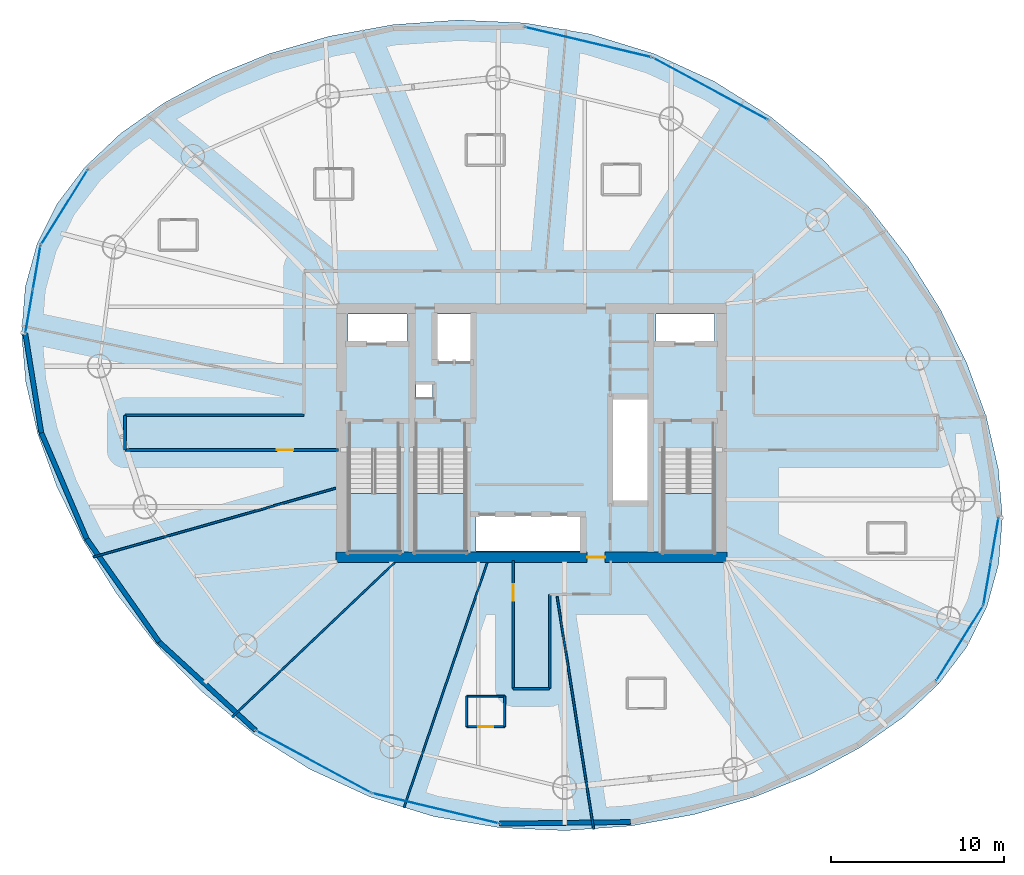
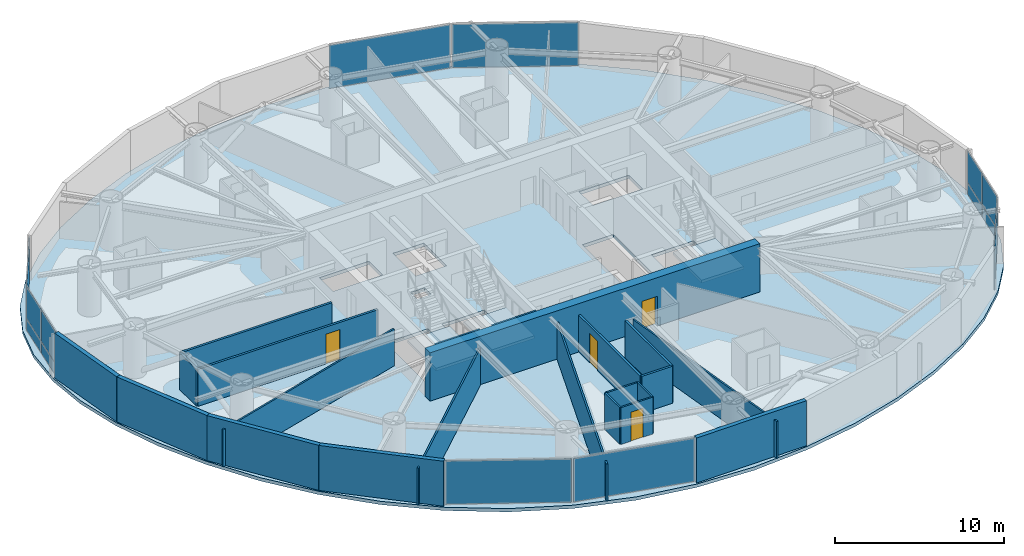
# One storey, part 15 of 22: 22 walls, 14 plates, 4 doors, 4 slabs, 4 openings, 11 elements without a shape of their own.
"""IFC4 building model written with IfcOpenShell, lengths in metres."""

from ifc_helpers import new_model, si_unit, direction, frame, frame_2d, origin, origin_2d, place, context, subcontext, project, spatial, polyline, rectangle, outline, extrude, material, layer, layer_set, type_object, element, fill, aggregate, save


model = new_model("IFC4")

# Units and contexts
model_context = context("Model", 3, precision=1e-05, world=origin(), true_north=direction((0.0, 1.0)))
body_context = subcontext(model_context, "Body", "Model", "MODEL_VIEW")
ifc_project = project(units=[si_unit("LENGTHUNIT", "METRE"), si_unit("AREAUNIT", "SQUARE_METRE"), si_unit("VOLUMEUNIT", "CUBIC_METRE"), si_unit("PLANEANGLEUNIT", "RADIAN"), si_unit("MASSUNIT", "GRAM", prefix="KILO")], contexts=[model_context])

# Site, building, storey
site_placement = place(None, origin())
site = spatial("IfcSite", under=ifc_project, at=site_placement, CompositionType="ELEMENT")
building_placement = place(site_placement, origin())
building = spatial("IfcBuilding", under=site, at=building_placement, Name="Bramvorn Convention Spire", CompositionType="ELEMENT")
storey_placement = place(building_placement, frame((0.0, 0.0, 116.800048828125)))
storey = spatial("IfcBuildingStorey", under=building, at=storey_placement, Name="L28", CompositionType="ELEMENT", Elevation=116.800048828125)

# Curtain wall, plates
ifc_material_1 = material(Name="Anodised Bronze Unitised Curtain Wall", Category="aluminium")
ifc_layer_1 = layer(ifc_material_1, 0.179931640625)
ifc_layer_set_1 = layer_set([ifc_layer_1], Name="Anodised Bronze Unitised Curtain Wall - CW-HTL-FRIT")
curtain_wall_type = type_object("IfcCurtainWallType", Name="CW-HTL-FRIT", PredefinedType="USERDEFINED", material=ifc_layer_set_1)
curtain_wall_1_placement = place(storey_placement, origin())
curtain_wall_1 = element("IfcCurtainWall", 1, at=curtain_wall_1_placement, inside=storey, type_object=curtain_wall_type, Name="L28 fritted glass curtain wall 01", ObjectType="UNITISED CURTAIN WALL", PredefinedType="USERDEFINED")
ifc_material_2 = material(Name="Laminated Low-E Glass (Triple IGU Tapered Ceramic Frit 40%)", Category="glass")
ifc_layer_2 = layer(ifc_material_2, 0.0380859375)
ifc_layer_set_2 = layer_set([ifc_layer_2], Name="Laminated Low-E Glass (Triple IGU Tapered Ceramic Frit 40%) - PNL-IGU-2")
plate_type = type_object("IfcPlateType", Name="PNL-IGU-2", PredefinedType="CURTAIN_PANEL", material=ifc_layer_set_2)
plate_1_placement = place(storey_placement, frame((64.798583984375, 19.82763671875, 0.059814453125), z_axis=(0.0, 0.0, 1.0), x_axis=(-0.170591591163, -0.985341823442, 0.0)))
plate_1 = element("IfcPlate", 2, at=plate_1_placement, type_object=plate_type, Name="CW2 panel 1.1", PredefinedType="CURTAIN_PANEL", context=body_context, shape_type="SweptSolid", body=[
    extrude(rectangle(XDim=2.4970703125, YDim=0.028076171875, at=origin_2d()), origin(), (0.0, 0.0, 1.0), 0.81005859375),
])
plate_2_placement = place(storey_placement, frame((64.798583984375, 19.82763671875, 0.929931640625), z_axis=(0.0, 0.0, 1.0), x_axis=(-0.170591591163, -0.985341823442, 0.0)))
plate_2 = element("IfcPlate", 3, at=plate_2_placement, type_object=plate_type, Name="CW2 panel 1.2", PredefinedType="CURTAIN_PANEL", context=body_context, shape_type="SweptSolid", body=[
    extrude(rectangle(XDim=2.4970703125, YDim=0.028076171875, at=origin_2d()), origin(), (0.0, 0.0, 1.0), 2.27001953125),
])
plate_3_placement = place(storey_placement, frame((64.3623046875, 17.307861328125, 0.059814453125), z_axis=(0.0, 0.0, 1.0), x_axis=(-0.170591591163, -0.985341823442, 0.0)))
plate_3 = element("IfcPlate", 4, at=plate_3_placement, type_object=plate_type, Name="CW2 panel 2.1", PredefinedType="CURTAIN_PANEL", context=body_context, shape_type="SweptSolid", body=[
    extrude(rectangle(XDim=2.4970703125, YDim=0.028076171875, at=origin_2d()), origin(), (0.0, 0.0, 1.0), 0.81005859375),
])
plate_4_placement = place(storey_placement, frame((64.3623046875, 17.307861328125, 0.929931640625), z_axis=(0.0, 0.0, 1.0), x_axis=(-0.170591591163, -0.985341823442, 0.0)))
plate_4 = element("IfcPlate", 5, at=plate_4_placement, type_object=plate_type, Name="CW2 panel 2.2", PredefinedType="CURTAIN_PANEL", context=body_context, shape_type="SweptSolid", body=[
    extrude(rectangle(XDim=2.4970703125, YDim=0.028076171875, at=origin_2d()), origin(), (0.0, 0.0, 1.0), 2.27001953125),
])
aggregate(curtain_wall_1, [plate_1, plate_2, plate_3, plate_4])

# Curtain wall, plate
curtain_wall_2_placement = place(storey_placement, origin())
curtain_wall_2 = element("IfcCurtainWall", 6, at=curtain_wall_2_placement, inside=storey, type_object=curtain_wall_type, Name="L28 fritted glass curtain wall 06", ObjectType="UNITISED CURTAIN WALL", PredefinedType="USERDEFINED")
plate_5_placement = place(storey_placement, frame((48.35107421875, 45.88525390625, 0.06005859375), z_axis=(0.0, 0.0, 1.0), x_axis=(0.879665546327, -0.475592815973, 0.0)))
plate_5 = element("IfcPlate", 7, at=plate_5_placement, type_object=plate_type, Name="CW2 panel 1.1", PredefinedType="CURTAIN_PANEL", context=body_context, shape_type="SweptSolid", body=[
    extrude(rectangle(XDim=7.49755859375, YDim=0.028076171875, at=origin_2d()), origin(), (0.0, 0.0, 1.0), 3.139892578125),
])
aggregate(curtain_wall_2, [plate_5])

curtain_wall_3_placement = place(storey_placement, origin())
curtain_wall_3 = element("IfcCurtainWall", 8, at=curtain_wall_3_placement, inside=storey, type_object=curtain_wall_type, Name="L28 fritted glass curtain wall 07", ObjectType="UNITISED CURTAIN WALL", PredefinedType="USERDEFINED")
plate_6_placement = place(storey_placement, frame((41.295654296875, 48.579345703125, 0.06005859375), z_axis=(0.0, 0.0, 1.0), x_axis=(0.972767324772, -0.231783804127, 0.0)))
plate_6 = element("IfcPlate", 9, at=plate_6_placement, type_object=plate_type, Name="CW2 panel 1.1", PredefinedType="CURTAIN_PANEL", context=body_context, shape_type="SweptSolid", body=[
    extrude(rectangle(XDim=7.49755859375, YDim=0.028076171875, at=origin_2d()), origin(), (0.0, 0.0, 1.0), 3.139892578125),
])
aggregate(curtain_wall_3, [plate_6])

curtain_wall_4_placement = place(storey_placement, origin())
curtain_wall_4 = element("IfcCurtainWall", 10, at=curtain_wall_4_placement, inside=storey, type_object=curtain_wall_type, Name="L28 fritted glass curtain wall 12", ObjectType="UNITISED CURTAIN WALL", PredefinedType="USERDEFINED")
plate_7_placement = place(storey_placement, frame((10.989013671875, 39.0322265625, 0.06005859375), z_axis=(0.0, 0.0, 1.0), x_axis=(0.52959758927, 0.848249016174, 0.0)))
plate_7 = element("IfcPlate", 11, at=plate_7_placement, type_object=plate_type, Name="CW2 panel 1.1", PredefinedType="CURTAIN_PANEL", context=body_context, shape_type="SweptSolid", body=[
    extrude(rectangle(XDim=5.05419921875, YDim=0.028076171875, at=origin_2d()), origin(), (0.0, 0.0, 1.0), 3.139892578125),
])
aggregate(curtain_wall_4, [plate_7])

# Curtain wall, plates
curtain_wall_5_placement = place(storey_placement, origin())
curtain_wall_5 = element("IfcCurtainWall", 12, at=curtain_wall_5_placement, inside=storey, type_object=curtain_wall_type, Name="L28 fritted glass curtain wall 13", ObjectType="UNITISED CURTAIN WALL", PredefinedType="USERDEFINED")
plate_8_placement = place(storey_placement, frame((8.95947265625, 33.028564453125, 0.059814453125), z_axis=(0.0, 0.0, 1.0), x_axis=(0.170591591163, 0.985341823442, 0.0)))
plate_8 = element("IfcPlate", 13, at=plate_8_placement, type_object=plate_type, Name="CW2 panel 1.1", PredefinedType="CURTAIN_PANEL", context=body_context, shape_type="SweptSolid", body=[
    extrude(rectangle(XDim=2.4970703125, YDim=0.028076171875, at=origin_2d()), origin(), (0.0, 0.0, 1.0), 0.81005859375),
])
plate_9_placement = place(storey_placement, frame((8.95947265625, 33.028564453125, 0.929931640625), z_axis=(0.0, 0.0, 1.0), x_axis=(0.170591591163, 0.985341823442, 0.0)))
plate_9 = element("IfcPlate", 14, at=plate_9_placement, type_object=plate_type, Name="CW2 panel 1.2", PredefinedType="CURTAIN_PANEL", context=body_context, shape_type="SweptSolid", body=[
    extrude(rectangle(XDim=2.4970703125, YDim=0.028076171875, at=origin_2d()), origin(), (0.0, 0.0, 1.0), 2.27001953125),
])
plate_10_placement = place(storey_placement, frame((9.395751953125, 35.54833984375, 0.059814453125), z_axis=(0.0, 0.0, 1.0), x_axis=(0.170591591163, 0.985341823442, 0.0)))
plate_10 = element("IfcPlate", 15, at=plate_10_placement, type_object=plate_type, Name="CW2 panel 2.1", PredefinedType="CURTAIN_PANEL", context=body_context, shape_type="SweptSolid", body=[
    extrude(rectangle(XDim=2.4970703125, YDim=0.028076171875, at=origin_2d()), origin(), (0.0, 0.0, 1.0), 0.81005859375),
])
plate_11_placement = place(storey_placement, frame((9.395751953125, 35.54833984375, 0.929931640625), z_axis=(0.0, 0.0, 1.0), x_axis=(0.170591591163, 0.985341823442, 0.0)))
plate_11 = element("IfcPlate", 16, at=plate_11_placement, type_object=plate_type, Name="CW2 panel 2.2", PredefinedType="CURTAIN_PANEL", context=body_context, shape_type="SweptSolid", body=[
    extrude(rectangle(XDim=2.4970703125, YDim=0.028076171875, at=origin_2d()), origin(), (0.0, 0.0, 1.0), 2.27001953125),
])
aggregate(curtain_wall_5, [plate_8, plate_9, plate_10, plate_11])

# Curtain wall, plate
curtain_wall_6_placement = place(storey_placement, origin())
curtain_wall_6 = element("IfcCurtainWall", 17, at=curtain_wall_6_placement, inside=storey, type_object=curtain_wall_type, Name="L28 fritted glass curtain wall 18", ObjectType="UNITISED CURTAIN WALL", PredefinedType="USERDEFINED")
plate_12_placement = place(storey_placement, frame((25.406982421875, 6.970947265625, 0.06005859375), z_axis=(0.0, 0.0, 1.0), x_axis=(-0.879665546327, 0.475592815973, 0.0)))
plate_12 = element("IfcPlate", 18, at=plate_12_placement, type_object=plate_type, Name="CW2 panel 1.1", PredefinedType="CURTAIN_PANEL", context=body_context, shape_type="SweptSolid", body=[
    extrude(rectangle(XDim=7.49755859375, YDim=0.028076171875, at=origin_2d()), origin(), (0.0, 0.0, 1.0), 3.139892578125),
])
aggregate(curtain_wall_6, [plate_12])

curtain_wall_7_placement = place(storey_placement, origin())
curtain_wall_7 = element("IfcCurtainWall", 19, at=curtain_wall_7_placement, inside=storey, type_object=curtain_wall_type, Name="L28 fritted glass curtain wall 19", ObjectType="UNITISED CURTAIN WALL", PredefinedType="USERDEFINED")
plate_13_placement = place(storey_placement, frame((32.46240234375, 4.27685546875, 0.06005859375), z_axis=(0.0, 0.0, 1.0), x_axis=(-0.972767324772, 0.231783804127, 0.0)))
plate_13 = element("IfcPlate", 20, at=plate_13_placement, type_object=plate_type, Name="CW2 panel 1.1", PredefinedType="CURTAIN_PANEL", context=body_context, shape_type="SweptSolid", body=[
    extrude(rectangle(XDim=7.49755859375, YDim=0.028076171875, at=origin_2d()), origin(), (0.0, 0.0, 1.0), 3.139892578125),
])
aggregate(curtain_wall_7, [plate_13])

curtain_wall_8_placement = place(storey_placement, origin())
curtain_wall_8 = element("IfcCurtainWall", 21, at=curtain_wall_8_placement, inside=storey, type_object=curtain_wall_type, Name="L28 fritted glass curtain wall 24", ObjectType="UNITISED CURTAIN WALL", PredefinedType="USERDEFINED")
plate_14_placement = place(storey_placement, frame((62.768798828125, 13.823974609375, 0.06005859375), z_axis=(0.0, 0.0, 1.0), x_axis=(-0.52959758927, -0.848249016174, 0.0)))
plate_14 = element("IfcPlate", 22, at=plate_14_placement, type_object=plate_type, Name="CW2 panel 1.1", PredefinedType="CURTAIN_PANEL", context=body_context, shape_type="SweptSolid", body=[
    extrude(rectangle(XDim=5.05419921875, YDim=0.028076171875, at=origin_2d()), origin(), (0.0, 0.0, 1.0), 3.139892578125),
])
aggregate(curtain_wall_8, [plate_14])

# Stair, slab
ifc_material_3 = material(Name="Concrete C40/50 Precast Stair", Category="concrete")
stair_type = type_object("IfcStairType", Name="ST-TOWER-1550", PredefinedType="HALF_TURN_STAIR", material=ifc_material_3)
stair_1_placement = place(storey_placement, origin())
stair_1 = element("IfcStair", 23, at=stair_1_placement, inside=storey, type_object=stair_type, Name="L28 Protected Exit Stair ST1", PredefinedType="HALF_TURN_STAIR")
ifc_material_4 = material(Name="Concrete C40/50 Stair Landing", Category="concrete")
ifc_layer_3 = layer(ifc_material_4, 0.219970703125)
ifc_layer_set_3 = layer_set([ifc_layer_3], Name="Concrete C40/50 Stair Landing - SLB-STAIR-LANDING")
slab_type_1 = type_object("IfcSlabType", Name="SLB-STAIR-LANDING", PredefinedType="LANDING", material=ifc_layer_set_3)
slab_1_placement = place(storey_placement, frame((0.0, 0.0, 1.550048828125)))
slab_1 = element("IfcSlab", 24, at=slab_1_placement, type_object=slab_type_1, Name="ST1 landing 1", PredefinedType="LANDING", context=body_context, shape_type="SweptSolid", body=[
    extrude(outline(polyline([(27.449951171875, 22.485107421875), (27.449951171875, 19.10009765625), (30.35009765625, 19.10009765625), (30.35009765625, 22.485107421875), (27.449951171875, 22.485107421875)])), origin(), (0.0, 0.0, 1.0), 0.199951171875),
])
aggregate(stair_1, [slab_1])

stair_2_placement = place(storey_placement, origin())
stair_2 = element("IfcStair", 25, at=stair_2_placement, inside=storey, type_object=stair_type, Name="L28 Protected Exit Stair ST2", PredefinedType="HALF_TURN_STAIR")
slab_2_placement = place(storey_placement, frame((0.0, 0.0, 1.550048828125)))
slab_2 = element("IfcSlab", 26, at=slab_2_placement, type_object=slab_type_1, Name="ST2 landing 1", PredefinedType="LANDING", context=body_context, shape_type="SweptSolid", body=[
    extrude(outline(polyline([(45.64990234375, 22.485107421875), (45.64990234375, 19.10009765625), (48.550048828125, 19.10009765625), (48.550048828125, 22.485107421875), (45.64990234375, 22.485107421875)])), origin(), (0.0, 0.0, 1.0), 0.199951171875),
])
aggregate(stair_2, [slab_2])

stair_3_placement = place(storey_placement, origin())
stair_3 = element("IfcStair", 27, at=stair_3_placement, inside=storey, type_object=stair_type, Name="L28 Protected Exit Stair ST3", PredefinedType="HALF_TURN_STAIR")
slab_3_placement = place(storey_placement, frame((0.0, 0.0, 1.550048828125)))
slab_3 = element("IfcSlab", 28, at=slab_3_placement, type_object=slab_type_1, Name="ST3 landing 1", PredefinedType="LANDING", context=body_context, shape_type="SweptSolid", body=[
    extrude(outline(polyline([(31.300048828125, 22.485107421875), (31.300048828125, 19.10009765625), (34.199951171875, 19.10009765625), (34.199951171875, 22.485107421875), (31.300048828125, 22.485107421875)])), origin(), (0.0, 0.0, 1.0), 0.199951171875),
])
aggregate(stair_3, [slab_3])

# Slab
ifc_material_5 = material(Name="Concrete C50/60", Category="concrete")
ifc_layer_4 = layer(ifc_material_5, 0.239990234375)
ifc_layer_set_4 = layer_set([ifc_layer_4], Name="Concrete C50/60 - SLB-Z2-240")
slab_type_2 = type_object("IfcSlabType", Name="SLB-Z2-240", PredefinedType="FLOOR", material=ifc_layer_set_4)
slab_4_placement = place(storey_placement, frame((0.0, 0.0, -0.239990234375)))
element("IfcSlab", 29, at=slab_4_placement, inside=storey, type_object=slab_type_2, Name="L28 tower floor slab", PredefinedType="FLOOR", context=body_context, shape_type="SweptSolid", body=[
    extrude(outline(polyline([(64.344482421875, 15.93994140625), (65.02490234375, 18.42626953125), (65.239013671875, 21.0908203125), (64.997314453125, 23.92236328125), (64.312255859375, 26.896484375), (63.19873046875, 29.969970703125), (61.673095703125, 33.082275390625), (59.752197265625, 36.15673828125), (57.45556640625, 39.10595703125), (54.806884765625, 41.83837890625), (51.835693359375, 44.265625), (48.57958984375, 46.31201171875), (45.08544921875, 47.91845703125), (41.40966796875, 49.0498046875), (37.618408203125, 49.69482421875), (33.78564453125, 49.865478515625), (29.989990234375, 49.593994140625), (26.31201171875, 48.92626953125), (22.830810546875, 47.914794921875), (19.618896484375, 46.611572265625), (16.740234375, 45.0625), (14.247314453125, 43.302001953125), (12.1796875, 41.35205078125), (10.5634765625, 39.222900390625), (9.413330078125, 36.916259765625), (8.733154296875, 34.429931640625), (8.518798828125, 31.765380859375), (8.7607421875, 28.93359375), (9.44580078125, 25.959716796875), (10.55908203125, 22.88623046875), (12.0849609375, 19.77392578125), (14.005859375, 16.699462890625), (16.302490234375, 13.750244140625), (18.951171875, 11.017822265625), (21.922119140625, 8.59033203125), (25.17822265625, 6.544189453125), (28.672607421875, 4.9375), (32.348388671875, 3.806396484375), (36.139404296875, 3.161376953125), (39.972412109375, 2.990478515625), (43.76806640625, 3.26220703125), (47.44580078125, 3.929931640625), (50.927001953125, 4.94140625), (54.138916015625, 6.24462890625), (57.017578125, 7.793701171875), (59.510498046875, 9.55419921875), (61.578369140625, 11.50390625), (63.1943359375, 13.633056640625), (64.344482421875, 15.93994140625)]), holes=[polyline([(27.449951171875, 25.050048828125), (27.449951171875, 19.10009765625), (30.35009765625, 19.10009765625), (30.35009765625, 25.050048828125), (27.449951171875, 25.050048828125)]), polyline([(45.64990234375, 25.050048828125), (45.64990234375, 19.10009765625), (48.550048828125, 19.10009765625), (48.550048828125, 25.050048828125), (45.64990234375, 25.050048828125)]), polyline([(31.300048828125, 25.050048828125), (31.300048828125, 19.10009765625), (34.199951171875, 19.10009765625), (34.199951171875, 25.050048828125), (31.300048828125, 25.050048828125)]), polyline([(27.39990234375, 31.219970703125), (30.800048828125, 31.219970703125), (30.800048828125, 32.85009765625), (27.39990234375, 32.85009765625), (27.39990234375, 31.219970703125)]), polyline([(45.199951171875, 31.219970703125), (48.60009765625, 31.219970703125), (48.60009765625, 32.85009765625), (45.199951171875, 32.85009765625), (45.199951171875, 31.219970703125)]), polyline([(32.449951171875, 30.14990234375), (34.56005859375, 30.14990234375), (34.56005859375, 32.85009765625), (32.449951171875, 32.85009765625), (32.449951171875, 30.14990234375)]), polyline([(34.800048828125, 19.14990234375), (40.97998046875, 19.14990234375), (40.97998046875, 21.199951171875), (34.800048828125, 21.199951171875), (34.800048828125, 19.14990234375)]), polyline([(42.6201171875, 22.0), (44.75, 22.0), (44.75, 28.0), (42.6201171875, 28.0), (42.6201171875, 22.0)]), polyline([(31.320068359375, 28.02001953125), (32.280029296875, 28.02001953125), (32.280029296875, 28.820068359375), (31.320068359375, 28.820068359375), (31.320068359375, 28.02001953125)])]), origin(), (0.0, 0.0, 1.0), 0.239990234375),
])

# Wall, opening, door
ifc_material_6 = material(Name="Concrete C60/70", Category="concrete")
ifc_layer_5 = layer(ifc_material_6, 0.60009765625)
ifc_layer_set_5 = layer_set([ifc_layer_5], Name="Concrete C60/70 - WL-CORE-600")
wall_type_1 = type_object("IfcWallType", Name="WL-CORE-600", PredefinedType="SHEAR", material=ifc_layer_set_5)
wall_1_placement = place(storey_placement, frame((26.699951171875, 18.800048828125, 0.0), z_axis=(0.0, 0.0, 1.0), x_axis=(1.0, 0.0, 0.0)))
wall_1 = element("IfcWall", 30, at=wall_1_placement, inside=storey, type_object=wall_type_1, Name="L28 South RC core shear wall", PredefinedType="SHEAR", context=body_context, shape_type="SweptSolid", body=[
    extrude(rectangle(XDim=22.60009765625, YDim=0.60009765625, at=frame_2d((11.300048828125, 0.0))), origin(), (0.0, 0.0, 1.0), 3.5),
])
opening_1_placement = place(wall_1_placement, frame((14.52001953125, 0.0, 0.0)))
opening_1 = element("IfcOpeningElement", 31, at=opening_1_placement, cuts=wall_1, Name="Opening DL-105", PredefinedType="OPENING", context=body_context, shape_type="SweptSolid", body=[
    extrude(rectangle(XDim=1.050048828125, YDim=2.14990234375, at=frame_2d((0.52490234375, 1.074951171875))), frame((0.0, 0.31005859375, 0.0), z_axis=(0.0, -1.0, 0.0), x_axis=(1.0, 0.0, 0.0)), (0.0, 0.0, 1.0), 0.6201171875),
])
ifc_material_7 = material(Name="Smoke-Sealed Fire Lobby Timber-Core Door", Category="wood")
door_type_1 = type_object("IfcDoorType", Name="DR-LOBBY-1050", OperationType="NOTDEFINED", PredefinedType="DOOR", material=ifc_material_7)
door_1_placement = place(opening_1_placement, origin())
door_1 = element("IfcDoor", 32, at=door_1_placement, inside=storey, type_object=door_type_1, Name="L28 South Lift Lobby fire door", OperationType="SINGLE_SWING_RIGHT", OverallHeight=2.14990234375, OverallWidth=1.050048828125, PredefinedType="DOOR", context=body_context, shape_type="SweptSolid", body=[
    extrude(rectangle(XDim=1.050048828125, YDim=2.14990234375, at=frame_2d((0.52490234375, 1.074951171875))), frame((0.0, 0.02490234375, 0.0), z_axis=(0.0, -1.0, 0.0), x_axis=(1.0, 0.0, 0.0)), (0.0, 0.0, 1.0), 0.050048828125),
])
fill(opening_1, door_1)

# Walls
ifc_material_8 = material(Name="Precast Concrete C40/50 with Bronze Terracotta Rainscreen", Category="masonry")
ifc_layer_6 = layer(ifc_material_8, 0.300048828125)
ifc_layer_set_6 = layer_set([ifc_layer_6], Name="Precast Concrete C40/50 with Bronze Terracotta Rainscreen - WL-EXT-BRONZE-300")
wall_type_2 = type_object("IfcWallType", Name="WL-EXT-BRONZE-300", PredefinedType="SOLIDWALL", material=ifc_layer_set_6)
wall_2_placement = place(storey_placement, frame((9.661376953125, 25.990478515625, 0.0), z_axis=(0.0, 0.0, 1.0), x_axis=(-0.158909460881, 0.987293159726, 0.0)))
element("IfcWall", 33, at=wall_2_placement, inside=storey, type_object=wall_type_2, Name="L28 expressed bronze Gothic lancet pier wall 14", PredefinedType="SOLIDWALL", context=body_context, shape_type="SweptSolid", body=[
    extrude(rectangle(XDim=5.82275390625, YDim=0.280029296875, at=frame_2d((2.911376953125, 0.0))), origin(), (0.0, 0.0, 1.0), 3.260009765625),
])
wall_3_placement = place(storey_placement, frame((12.28564453125, 19.86376953125, 0.0), z_axis=(0.0, 0.0, 1.0), x_axis=(-0.393733615398, 0.919224586326, 0.0)))
element("IfcWall", 34, at=wall_3_placement, inside=storey, type_object=wall_type_2, Name="L28 expressed bronze Gothic lancet pier wall 15", PredefinedType="SOLIDWALL", context=body_context, shape_type="SweptSolid", body=[
    extrude(rectangle(XDim=6.6650390625, YDim=0.280029296875, at=frame_2d((3.33251953125, 0.0))), origin(), (0.0, 0.0, 1.0), 3.260009765625),
])
wall_4_placement = place(storey_placement, frame((16.475830078125, 13.89599609375, 0.0), z_axis=(0.0, 0.0, 1.0), x_axis=(-0.574634715728, 0.818410009396, 0.0)))
element("IfcWall", 35, at=wall_4_placement, inside=storey, type_object=wall_type_2, Name="L28 expressed bronze Gothic lancet pier wall 16", PredefinedType="SOLIDWALL", context=body_context, shape_type="SweptSolid", body=[
    extrude(rectangle(XDim=7.2919921875, YDim=0.280029296875, at=frame_2d((3.64599609375, 0.0))), origin(), (0.0, 0.0, 1.0), 3.260009765625),
])
wall_5_placement = place(storey_placement, frame((22.056396484375, 8.782470703125, 0.0), z_axis=(0.0, 0.0, 1.0), x_axis=(-0.737285337307, 0.675581476502, 0.0)))
element("IfcWall", 36, at=wall_5_placement, inside=storey, type_object=wall_type_2, Name="L28 expressed bronze Gothic lancet pier wall 17", PredefinedType="SOLIDWALL", context=body_context, shape_type="SweptSolid", body=[
    extrude(rectangle(XDim=7.569091796875, YDim=0.280029296875, at=frame_2d((3.78466796875, 0.0))), origin(), (0.0, 0.0, 1.0), 3.260009765625),
])
wall_6_placement = place(storey_placement, frame((43.736083984375, 3.486328125, 0.0), z_axis=(0.0, 0.0, 1.0), x_axis=(-0.999925676567, -0.012191855549, 0.0)))
element("IfcWall", 37, at=wall_6_placement, inside=storey, type_object=wall_type_2, Name="L28 expressed bronze Gothic lancet pier wall 20", PredefinedType="SOLIDWALL", context=body_context, shape_type="SweptSolid", body=[
    extrude(rectangle(XDim=7.5693359375, YDim=0.280029296875, at=frame_2d((3.78466796875, 0.0))), origin(), (0.0, 0.0, 1.0), 3.260009765625),
])
ifc_material_9 = material(Name="Lightweight En-Suite & Wet-Wall Partition", Category="gypsum")
ifc_layer_7 = layer(ifc_material_9, 0.110107421875)
ifc_layer_set_7 = layer_set([ifc_layer_7], Name="Lightweight En-Suite & Wet-Wall Partition - WL-PART-110")
wall_type_3 = type_object("IfcWallType", Name="WL-PART-110", PredefinedType="PARTITIONING", material=ifc_layer_set_7)
wall_7_placement = place(storey_placement, frame((26.679931640625, 22.786865234375, 0.0), z_axis=(0.0, 0.0, 1.0), x_axis=(-0.962000208621, -0.273048711062, 0.0)))
element("IfcWall", 38, at=wall_7_placement, inside=storey, type_object=wall_type_3, Name="L28 Guestroom demising wall 8", PredefinedType="PARTITIONING", context=body_context, shape_type="SweptSolid", body=[
    extrude(rectangle(XDim=14.57958984375, YDim=0.110107421875, at=frame_2d((7.289794921875, 0.0))), origin(), (0.0, 0.0, 1.0), 2.675048828125),
])
wall_8_placement = place(storey_placement, frame((30.086181640625, 18.47998046875, 0.0), z_axis=(0.0, 0.0, 1.0), x_axis=(-0.724907697958, -0.688846012866, 0.0)))
element("IfcWall", 39, at=wall_8_placement, inside=storey, type_object=wall_type_3, Name="L28 Guestroom demising wall 9", PredefinedType="PARTITIONING", context=body_context, shape_type="SweptSolid", body=[
    extrude(rectangle(XDim=12.9580078125, YDim=0.110107421875, at=frame_2d((6.47900390625, 0.0))), origin(), (0.0, 0.0, 1.0), 2.675048828125),
])
wall_9_placement = place(storey_placement, frame((35.444580078125, 18.47998046875, 0.0), z_axis=(0.0, 0.0, 1.0), x_axis=(-0.321754532436, -0.946823120153, 0.0)))
element("IfcWall", 40, at=wall_9_placement, inside=storey, type_object=wall_type_3, Name="L28 Guestroom demising wall 10", PredefinedType="PARTITIONING", context=body_context, shape_type="SweptSolid", body=[
    extrude(rectangle(XDim=14.9736328125, YDim=0.110107421875, at=frame_2d((7.48681640625, 0.0))), origin(), (0.0, 0.0, 1.0), 2.675048828125),
])
wall_10_placement = place(storey_placement, frame((39.489990234375, 16.510009765625, 0.0), z_axis=(0.0, 0.0, 1.0), x_axis=(0.15511343863, -0.987896665222, 0.0)))
element("IfcWall", 41, at=wall_10_placement, inside=storey, type_object=wall_type_3, Name="L28 Guestroom demising wall 11", PredefinedType="PARTITIONING", context=body_context, shape_type="SweptSolid", body=[
    extrude(rectangle(XDim=13.598876953125, YDim=0.110107421875, at=frame_2d((6.79931640625, 0.0))), origin(), (0.0, 0.0, 1.0), 2.675048828125),
])

# Wall, opening, door
wall_11_placement = place(storey_placement, frame((34.255126953125, 9.000732421875, 0.0), z_axis=(0.0, 0.0, 1.0), x_axis=(1.0, 0.0, 0.0)))
wall_11 = element("IfcWall", 42, at=wall_11_placement, inside=storey, type_object=wall_type_3, Name="Hotel Suite 2810 en-suite south wall", PredefinedType="PARTITIONING", context=body_context, shape_type="SweptSolid", body=[
    extrude(rectangle(XDim=2.199951171875, YDim=0.110107421875, at=frame_2d((1.10009765625, 0.0))), origin(), (0.0, 0.0, 1.0), 2.675048828125),
])
opening_2_placement = place(wall_11_placement, frame((0.679931640625, 0.0, 0.0)))
opening_2 = element("IfcOpeningElement", 43, at=opening_2_placement, cuts=wall_11, Name="Opening DI-085", PredefinedType="OPENING", context=body_context, shape_type="SweptSolid", body=[
    extrude(rectangle(XDim=0.85009765625, YDim=2.10009765625, at=frame_2d((0.425048828125, 1.050048828125))), frame((0.0, 0.06494140625, 0.0), z_axis=(0.0, -1.0, 0.0), x_axis=(1.0, 0.0, 0.0)), (0.0, 0.0, 1.0), 0.130126953125),
])
ifc_material_10 = material(Name="En-Suite & Restroom Privacy Door", Category="wood")
door_type_2 = type_object("IfcDoorType", Name="DR-INT-850", OperationType="NOTDEFINED", PredefinedType="DOOR", material=ifc_material_10)
door_2_placement = place(opening_2_placement, origin())
door_2 = element("IfcDoor", 44, at=door_2_placement, inside=storey, type_object=door_type_2, Name="Hotel Suite 2810 En-Suite Bathroom door", OperationType="SINGLE_SWING_LEFT", OverallHeight=2.10009765625, OverallWidth=0.85009765625, PredefinedType="DOOR", context=body_context, shape_type="SweptSolid", body=[
    extrude(rectangle(XDim=0.85009765625, YDim=2.10009765625, at=frame_2d((0.425048828125, 1.050048828125))), frame((0.0, 0.02490234375, 0.0), z_axis=(0.0, -1.0, 0.0), x_axis=(1.0, 0.0, 0.0)), (0.0, 0.0, 1.0), 0.050048828125),
])
fill(opening_2, door_2)

# Walls
wall_12_placement = place(storey_placement, frame((34.255126953125, 10.7607421875, 0.0), z_axis=(0.0, 0.0, 1.0), x_axis=(1.0, 0.0, 0.0)))
element("IfcWall", 45, at=wall_12_placement, inside=storey, type_object=wall_type_3, Name="Hotel Suite 2810 en-suite north wall", PredefinedType="PARTITIONING", context=body_context, shape_type="SweptSolid", body=[
    extrude(rectangle(XDim=2.199951171875, YDim=0.110107421875, at=frame_2d((1.10009765625, 0.0))), origin(), (0.0, 0.0, 1.0), 2.675048828125),
])
for number, where, z_axis, x_axis, name in (
    (46, (34.255126953125, 9.000732421875, 0.0), (0.0, 0.0, 1.0), (0.0, 1.0, 0.0), "Hotel Suite 2810 en-suite west wall"),
    (47, (36.455078125, 9.000732421875, 0.0), (0.0, 0.0, 1.0), (0.0, 1.0, 0.0), "Hotel Suite 2810 en-suite east wall"),
):
    element("IfcWall", number, at=place(storey_placement, frame(where, z_axis=z_axis, x_axis=x_axis)), inside=storey, type_object=wall_type_3, Name=name, PredefinedType="PARTITIONING", context=body_context, shape_type="SweptSolid", body=[
        extrude(rectangle(XDim=1.760009765625, YDim=0.110107421875, at=frame_2d((0.8798828125, 0.0))), origin(), (0.0, 0.0, 1.0), 2.675048828125),
    ])
ifc_material_11 = material(Name="Acoustic Metal-Stud Tenant/Corridor Partition", Category="gypsum")
ifc_layer_8 = layer(ifc_material_11, 0.14990234375)
ifc_layer_set_8 = layer_set([ifc_layer_8], Name="Acoustic Metal-Stud Tenant/Corridor Partition - WL-PART-150")
wall_type_4 = type_object("IfcWallType", Name="WL-PART-150", PredefinedType="PARTITIONING", material=ifc_layer_set_8)
wall_13_placement = place(storey_placement, frame((14.5, 27.0, 0.0), z_axis=(0.0, 0.0, 1.0), x_axis=(1.0, 0.0, 0.0)))
element("IfcWall", 48, at=wall_13_placement, inside=storey, type_object=wall_type_4, Name="L28 West wing spine north wall", PredefinedType="PARTITIONING", context=body_context, shape_type="SweptSolid", body=[
    extrude(rectangle(XDim=10.35009765625, YDim=0.14990234375, at=frame_2d((5.175048828125, 0.0))), origin(), (0.0, 0.0, 1.0), 2.675048828125),
])

# Wall, opening, door
wall_14_placement = place(storey_placement, frame((14.5, 25.0, 0.0), z_axis=(0.0, 0.0, 1.0), x_axis=(1.0, 0.0, 0.0)))
wall_14 = element("IfcWall", 49, at=wall_14_placement, inside=storey, type_object=wall_type_4, Name="L28 West wing spine south wall", PredefinedType="PARTITIONING", context=body_context, shape_type="SweptSolid", body=[
    extrude(rectangle(XDim=12.35009765625, YDim=0.14990234375, at=frame_2d((6.175048828125, 0.0))), origin(), (0.0, 0.0, 1.0), 2.675048828125),
])
opening_3_placement = place(wall_14_placement, frame((8.78759765625, 0.0, 0.0)))
opening_3 = element("IfcOpeningElement", 50, at=opening_3_placement, cuts=wall_14, Name="Opening DH-095", PredefinedType="OPENING", context=body_context, shape_type="SweptSolid", body=[
    extrude(rectangle(XDim=0.949951171875, YDim=2.14990234375, at=frame_2d((0.47509765625, 1.074951171875))), frame((0.0, 0.0849609375, 0.0), z_axis=(0.0, -1.0, 0.0), x_axis=(1.0, 0.0, 0.0)), (0.0, 0.0, 1.0), 0.169921875),
])
ifc_material_12 = material(Name="Solid-Core Acoustic Guestroom Entry Door", Category="wood")
door_type_3 = type_object("IfcDoorType", Name="DR-HOTEL-950", OperationType="NOTDEFINED", PredefinedType="DOOR", material=ifc_material_12)
door_3_placement = place(opening_3_placement, origin())
door_3 = element("IfcDoor", 51, at=door_3_placement, inside=storey, type_object=door_type_3, Name="Hotel Suite 2807 entry door", OperationType="SINGLE_SWING_LEFT", OverallHeight=2.14990234375, OverallWidth=0.949951171875, PredefinedType="DOOR", context=body_context, shape_type="SweptSolid", body=[
    extrude(rectangle(XDim=0.949951171875, YDim=2.14990234375, at=frame_2d((0.47509765625, 1.074951171875))), frame((0.0, 0.02490234375, 0.0), z_axis=(0.0, -1.0, 0.0), x_axis=(1.0, 0.0, 0.0)), (0.0, 0.0, 1.0), 0.050048828125),
])
fill(opening_3, door_3)

# Wall
wall_15_placement = place(storey_placement, frame((14.5, 25.0, 0.0), z_axis=(0.0, 0.0, 1.0), x_axis=(0.0, 1.0, 0.0)))
element("IfcWall", 52, at=wall_15_placement, inside=storey, type_object=wall_type_4, Name="L28 West wing spine end wall", PredefinedType="PARTITIONING", context=body_context, shape_type="SweptSolid", body=[
    extrude(rectangle(XDim=2.0, YDim=0.14990234375, at=frame_2d((1.0, 0.0))), origin(), (0.0, 0.0, 1.0), 2.675048828125),
])

# Wall, opening, door
wall_16_placement = place(storey_placement, frame((36.949951171875, 11.199951171875, 0.0), z_axis=(0.0, 0.0, 1.0), x_axis=(0.0, 1.0, 0.0)))
wall_16 = element("IfcWall", 53, at=wall_16_placement, inside=storey, type_object=wall_type_4, Name="L28 South axial spine west wall", PredefinedType="PARTITIONING", context=body_context, shape_type="SweptSolid", body=[
    extrude(rectangle(XDim=7.400146484375, YDim=0.14990234375, at=frame_2d((3.7001953125, 0.0))), origin(), (0.0, 0.0, 1.0), 2.675048828125),
])
opening_4_placement = place(wall_16_placement, frame((5.074951171875, 0.0, 0.0)))
opening_4 = element("IfcOpeningElement", 54, at=opening_4_placement, cuts=wall_16, Name="Opening DH-095", PredefinedType="OPENING", context=body_context, shape_type="SweptSolid", body=[
    extrude(rectangle(XDim=0.949951171875, YDim=2.14990234375, at=frame_2d((0.47509765625, 1.074951171875))), frame((0.0, 0.0849609375, 0.0), z_axis=(0.0, -1.0, 0.0), x_axis=(1.0, 0.0, 0.0)), (0.0, 0.0, 1.0), 0.169921875),
])
door_4_placement = place(opening_4_placement, origin())
door_4 = element("IfcDoor", 55, at=door_4_placement, inside=storey, type_object=door_type_3, Name="Hotel Suite 2810 entry door", OperationType="SINGLE_SWING_LEFT", OverallHeight=2.14990234375, OverallWidth=0.949951171875, PredefinedType="DOOR", context=body_context, shape_type="SweptSolid", body=[
    extrude(rectangle(XDim=0.949951171875, YDim=2.14990234375, at=frame_2d((0.47509765625, 1.074951171875))), frame((0.0, 0.02490234375, 0.0), z_axis=(0.0, -1.0, 0.0), x_axis=(1.0, 0.0, 0.0)), (0.0, 0.0, 1.0), 0.050048828125),
])
fill(opening_4, door_4)

# Walls
wall_17_placement = place(storey_placement, frame((39.050048828125, 11.199951171875, 0.0), z_axis=(0.0, 0.0, 1.0), x_axis=(0.0, 1.0, 0.0)))
element("IfcWall", 56, at=wall_17_placement, inside=storey, type_object=wall_type_4, Name="L28 South axial spine east wall", PredefinedType="PARTITIONING", context=body_context, shape_type="SweptSolid", body=[
    extrude(rectangle(XDim=5.449951171875, YDim=0.14990234375, at=frame_2d((2.72509765625, 0.0))), origin(), (0.0, 0.0, 1.0), 2.675048828125),
])
wall_18_placement = place(storey_placement, frame((36.949951171875, 11.199951171875, 0.0), z_axis=(0.0, 0.0, 1.0), x_axis=(1.0, 0.0, 0.0)))
element("IfcWall", 57, at=wall_18_placement, inside=storey, type_object=wall_type_4, Name="L28 South axial spine end wall", PredefinedType="PARTITIONING", context=body_context, shape_type="SweptSolid", body=[
    extrude(rectangle(XDim=2.10009765625, YDim=0.14990234375, at=frame_2d((1.050048828125, 0.0))), origin(), (0.0, 0.0, 1.0), 2.675048828125),
])
ifc_layer_9 = layer(ifc_material_5, 0.1201171875)
ifc_layer_set_9 = layer_set([ifc_layer_9], Name="Concrete C50/60 - WL-STAIR-RC-120")
wall_type_5 = type_object("IfcWallType", Name="WL-STAIR-RC-120", PredefinedType="SHEAR", material=ifc_layer_set_9)
wall_19_placement = place(storey_placement, frame((27.39501953125, 19.159912109375, 0.0), z_axis=(0.0, 0.0, 1.0), x_axis=(1.0, 0.0, 0.0)))
element("IfcWall", 58, at=wall_19_placement, inside=storey, type_object=wall_type_5, Name="L28 ST1 south bearing shear wall", PredefinedType="SHEAR", context=body_context, shape_type="SweptSolid", body=[
    extrude(rectangle(XDim=3.094970703125, YDim=0.1201171875, at=frame_2d((1.54736328125, 0.0))), origin(), (0.0, 0.0, 1.0), 3.5),
])
wall_20_placement = place(storey_placement, frame((31.300048828125, 19.159912109375, 0.0), z_axis=(0.0, 0.0, 1.0), x_axis=(1.0, 0.0, 0.0)))
element("IfcWall", 59, at=wall_20_placement, inside=storey, type_object=wall_type_5, Name="L28 ST3 south bearing shear wall", PredefinedType="SHEAR", context=body_context, shape_type="SweptSolid", body=[
    extrude(rectangle(XDim=3.0400390625, YDim=0.1201171875, at=frame_2d((1.52001953125, 0.0))), origin(), (0.0, 0.0, 1.0), 3.5),
])

save(model, "model.ifc")
